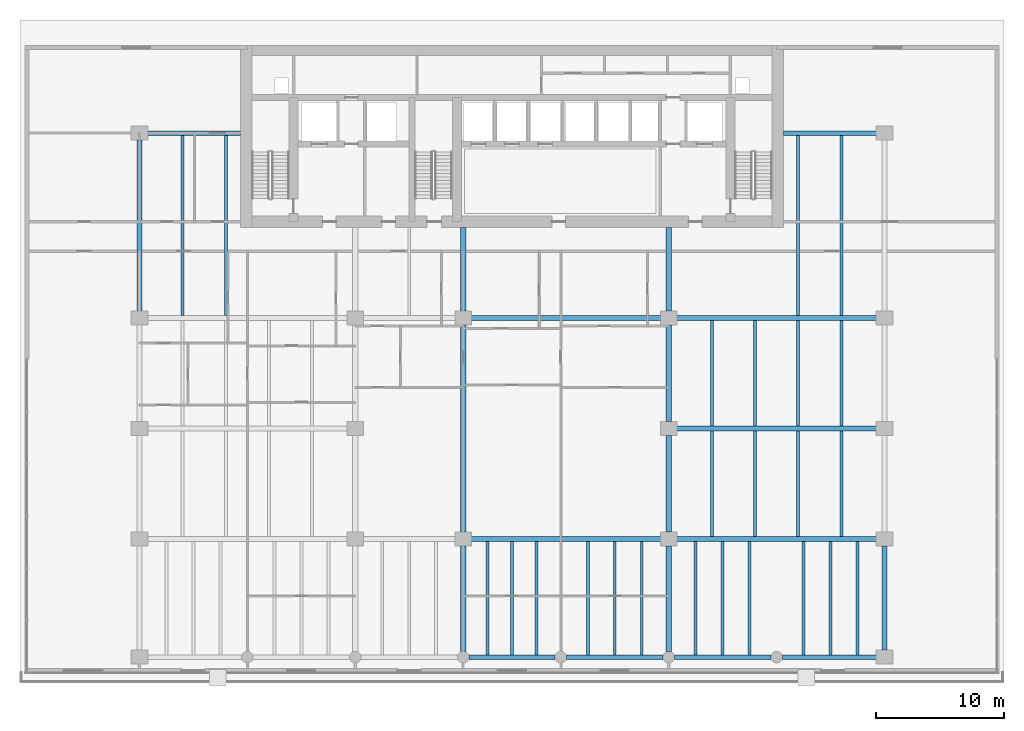
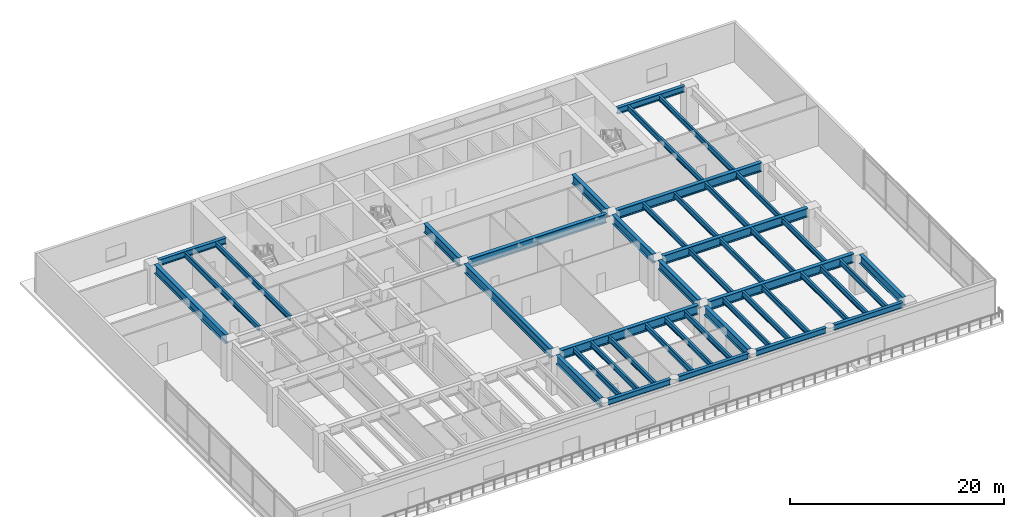
# One storey, part 3 of 14: 44 beams.
"""IFC4 building model written with IfcOpenShell, lengths in metres."""

from ifc_helpers import new_model, si_unit, direction, frame, origin, origin_2d, place, context, subcontext, project, spatial, i_section, extrude, material, material_profile, profile_set, type_object, element, save


model = new_model("IFC4")

# Units and contexts
model_context = context("Model", 3, precision=1e-05, world=origin(), true_north=direction((0.0, 1.0)))
body_context = subcontext(model_context, "Body", "Model", "MODEL_VIEW")
ifc_project = project(units=[si_unit("LENGTHUNIT", "METRE"), si_unit("AREAUNIT", "SQUARE_METRE"), si_unit("VOLUMEUNIT", "CUBIC_METRE"), si_unit("PLANEANGLEUNIT", "RADIAN"), si_unit("MASSUNIT", "GRAM", prefix="KILO")], contexts=[model_context])

# Site, building, storey
site_placement = place(None, origin())
site = spatial("IfcSite", under=ifc_project, at=site_placement, CompositionType="ELEMENT")
building_placement = place(site_placement, origin())
building = spatial("IfcBuilding", under=site, at=building_placement, Name="Caelmar Bay Residences", CompositionType="ELEMENT")
storey_placement = place(building_placement, frame((0.0, 0.0, 15.0)))
storey = spatial("IfcBuildingStorey", under=building, at=storey_placement, Name="L03", CompositionType="ELEMENT", Elevation=15.0)

# Beams
ifc_material = material(Name="Steel ASTM A992 Grade 50", Category="steel")
ifc_material_profile_1 = material_profile(ifc_material, i_section(OverallWidth=0.404052734375, OverallDepth=1.02099609375, WebThickness=0.025390625, FlangeThickness=0.0458984375, FilletRadius=0.02294921875, at=origin_2d()), Name="W40X324")
ifc_profile_set_1 = profile_set([ifc_material_profile_1], Name="Steel ASTM A992 Grade 50")
beam_type_1 = type_object("IfcBeamType", Name="BM-GRD-W40X324", PredefinedType="BEAM", material=ifc_profile_set_1)
beam_1_placement = place(storey_placement, frame((35.639892578125, 12.199951171875, 3.989501953125), z_axis=(1.0, 0.0, 0.0), x_axis=(0.0, 1.0, 0.0)))
element("IfcBeam", 1, at=beam_1_placement, inside=storey, type_object=beam_type_1, Name="L03 East-West Girder Y=12.20 (35.1-51.1)", PredefinedType="BEAM", context=body_context, shape_type="SweptSolid", body=[
    extrude(i_section(OverallWidth=0.404052734375, OverallDepth=1.02099609375, WebThickness=0.025390625, FlangeThickness=0.0458984375, FilletRadius=0.02294921875, at=origin_2d()), origin(), (0.0, 0.0, 1.0), 14.920166015625),
])
for number, where, z_axis, x_axis, name in (
    (2, (51.639892578125, 12.199951171875, 3.989501953125), (1.0, 0.0, 0.0), (0.0, 1.0, 0.0), "L03 East-West Girder Y=12.20 (51.1-67.9)"),
    (3, (51.639892578125, 20.800048828125, 3.989501953125), (1.0, 0.0, 0.0), (0.0, 1.0, 0.0), "L03 East-West Girder Y=20.80 (51.1-67.9)"),
):
    element("IfcBeam", number, at=place(storey_placement, frame(where, z_axis=z_axis, x_axis=x_axis)), inside=storey, type_object=beam_type_1, Name=name, PredefinedType="BEAM", context=body_context, shape_type="SweptSolid", body=[
        extrude(i_section(OverallWidth=0.404052734375, OverallDepth=1.02099609375, WebThickness=0.025390625, FlangeThickness=0.0458984375, FilletRadius=0.02294921875, at=origin_2d()), origin(), (0.0, 0.0, 1.0), 15.72021484375),
    ])
beam_2_placement = place(storey_placement, frame((35.639892578125, 29.39990234375, 3.989501953125), z_axis=(1.0, 0.0, 0.0), x_axis=(0.0, 1.0, 0.0)))
element("IfcBeam", 4, at=beam_2_placement, inside=storey, type_object=beam_type_1, Name="L03 East-West Girder Y=29.40 (35.1-51.1)", PredefinedType="BEAM", context=body_context, shape_type="SweptSolid", body=[
    extrude(i_section(OverallWidth=0.404052734375, OverallDepth=1.02099609375, WebThickness=0.025390625, FlangeThickness=0.0458984375, FilletRadius=0.02294921875, at=origin_2d()), origin(), (0.0, 0.0, 1.0), 14.920166015625),
])
beam_3_placement = place(storey_placement, frame((51.639892578125, 29.39990234375, 3.989501953125), z_axis=(1.0, 0.0, 0.0), x_axis=(0.0, 1.0, 0.0)))
element("IfcBeam", 5, at=beam_3_placement, inside=storey, type_object=beam_type_1, Name="L03 East-West Girder Y=29.40 (51.1-67.9)", PredefinedType="BEAM", context=body_context, shape_type="SweptSolid", body=[
    extrude(i_section(OverallWidth=0.404052734375, OverallDepth=1.02099609375, WebThickness=0.025390625, FlangeThickness=0.0458984375, FilletRadius=0.02294921875, at=origin_2d()), origin(), (0.0, 0.0, 1.0), 15.72021484375),
])
beam_4_placement = place(storey_placement, frame((9.89990234375, 29.93994140625, 3.989501953125), z_axis=(0.0, 1.0, 0.0), x_axis=(-1.0, 0.0, 0.0)))
element("IfcBeam", 6, at=beam_4_placement, inside=storey, type_object=beam_type_1, Name="L03 North-South Girder X=9.90 (29.4-43.8)", PredefinedType="BEAM", context=body_context, shape_type="SweptSolid", body=[
    extrude(i_section(OverallWidth=0.404052734375, OverallDepth=1.02099609375, WebThickness=0.025390625, FlangeThickness=0.0458984375, FilletRadius=0.02294921875, at=origin_2d()), origin(), (0.0, 0.0, 1.0), 13.320068359375),
])
beam_5_placement = place(storey_placement, frame((35.10009765625, 29.93994140625, 3.989501953125), z_axis=(0.0, 1.0, 0.0), x_axis=(-1.0, 0.0, 0.0)))
element("IfcBeam", 7, at=beam_5_placement, inside=storey, type_object=beam_type_1, Name="L03 Core Tie Girder X=35.10", PredefinedType="BEAM", context=body_context, shape_type="SweptSolid", body=[
    extrude(i_section(OverallWidth=0.404052734375, OverallDepth=1.02099609375, WebThickness=0.025390625, FlangeThickness=0.0458984375, FilletRadius=0.02294921875, at=origin_2d()), origin(), (0.0, 0.0, 1.0), 6.510009765625),
])
beam_6_placement = place(storey_placement, frame((35.10009765625, 3.43994140625, 3.989501953125), z_axis=(0.0, 1.0, 0.0), x_axis=(-1.0, 0.0, 0.0)))
element("IfcBeam", 8, at=beam_6_placement, inside=storey, type_object=beam_type_1, Name="L03 North-South Girder X=35.10 (3.0-12.2)", PredefinedType="BEAM", context=body_context, shape_type="SweptSolid", body=[
    extrude(i_section(OverallWidth=0.404052734375, OverallDepth=1.02099609375, WebThickness=0.025390625, FlangeThickness=0.0458984375, FilletRadius=0.02294921875, at=origin_2d()), origin(), (0.0, 0.0, 1.0), 8.219970703125),
])
beam_7_placement = place(storey_placement, frame((35.10009765625, 12.739990234375, 3.989501953125), z_axis=(0.0, 1.0, 0.0), x_axis=(-1.0, 0.0, 0.0)))
element("IfcBeam", 9, at=beam_7_placement, inside=storey, type_object=beam_type_1, Name="L03 North-South Girder X=35.10 (12.2-29.4)", PredefinedType="BEAM", context=body_context, shape_type="SweptSolid", body=[
    extrude(i_section(OverallWidth=0.404052734375, OverallDepth=1.02099609375, WebThickness=0.025390625, FlangeThickness=0.0458984375, FilletRadius=0.02294921875, at=origin_2d()), origin(), (0.0, 0.0, 1.0), 16.1201171875),
])
beam_8_placement = place(storey_placement, frame((51.10009765625, 29.93994140625, 3.989501953125), z_axis=(0.0, 1.0, 0.0), x_axis=(-1.0, 0.0, 0.0)))
element("IfcBeam", 10, at=beam_8_placement, inside=storey, type_object=beam_type_1, Name="L03 Core Tie Girder X=51.10", PredefinedType="BEAM", context=body_context, shape_type="SweptSolid", body=[
    extrude(i_section(OverallWidth=0.404052734375, OverallDepth=1.02099609375, WebThickness=0.025390625, FlangeThickness=0.0458984375, FilletRadius=0.02294921875, at=origin_2d()), origin(), (0.0, 0.0, 1.0), 6.510009765625),
])
beam_9_placement = place(storey_placement, frame((51.10009765625, 3.43994140625, 3.989501953125), z_axis=(0.0, 1.0, 0.0), x_axis=(-1.0, 0.0, 0.0)))
element("IfcBeam", 11, at=beam_9_placement, inside=storey, type_object=beam_type_1, Name="L03 North-South Girder X=51.10 (3.0-12.2)", PredefinedType="BEAM", context=body_context, shape_type="SweptSolid", body=[
    extrude(i_section(OverallWidth=0.404052734375, OverallDepth=1.02099609375, WebThickness=0.025390625, FlangeThickness=0.0458984375, FilletRadius=0.02294921875, at=origin_2d()), origin(), (0.0, 0.0, 1.0), 8.219970703125),
])
for number, where, z_axis, x_axis, name in (
    (12, (51.10009765625, 12.739990234375, 3.989501953125), (0.0, 1.0, 0.0), (-1.0, 0.0, 0.0), "L03 North-South Girder X=51.10 (12.2-20.8)"),
    (13, (51.10009765625, 21.340087890625, 3.989501953125), (0.0, 1.0, 0.0), (-1.0, 0.0, 0.0), "L03 North-South Girder X=51.10 (20.8-29.4)"),
):
    element("IfcBeam", number, at=place(storey_placement, frame(where, z_axis=z_axis, x_axis=x_axis)), inside=storey, type_object=beam_type_1, Name=name, PredefinedType="BEAM", context=body_context, shape_type="SweptSolid", body=[
        extrude(i_section(OverallWidth=0.404052734375, OverallDepth=1.02099609375, WebThickness=0.025390625, FlangeThickness=0.0458984375, FilletRadius=0.02294921875, at=origin_2d()), origin(), (0.0, 0.0, 1.0), 7.52001953125),
    ])
beam_10_placement = place(storey_placement, frame((67.89990234375, 3.5400390625, 3.989501953125), z_axis=(0.0, 1.0, 0.0), x_axis=(-1.0, 0.0, 0.0)))
element("IfcBeam", 14, at=beam_10_placement, inside=storey, type_object=beam_type_1, Name="L03 North-South Girder X=67.90 (3.0-12.2)", PredefinedType="BEAM", context=body_context, shape_type="SweptSolid", body=[
    extrude(i_section(OverallWidth=0.404052734375, OverallDepth=1.02099609375, WebThickness=0.025390625, FlangeThickness=0.0458984375, FilletRadius=0.02294921875, at=origin_2d()), origin(), (0.0, 0.0, 1.0), 8.119873046875),
])
ifc_material_profile_2 = material_profile(ifc_material, i_section(OverallWidth=0.22900390625, OverallDepth=0.612060546875, WebThickness=0.011962890625, FlangeThickness=0.01953125, FilletRadius=0.0126953125, at=origin_2d()), Name="W24X84")
ifc_profile_set_2 = profile_set([ifc_material_profile_2], Name="Steel ASTM A992 Grade 50")
beam_type_2 = type_object("IfcBeamType", Name="BM-JST-W24X84", PredefinedType="JOIST", material=ifc_profile_set_2)
for number, where, z_axis, x_axis, name in (
    (15, (37.0, 3.177978515625, 4.194091796875), (0.0, 1.0, 0.0), (-1.0, 0.0, 0.0), "L03 Composite Floor Joist 10"),
    (16, (38.89990234375, 3.177978515625, 4.194091796875), (0.0, 1.0, 0.0), (-1.0, 0.0, 0.0), "L03 Composite Floor Joist 11"),
    (17, (40.800048828125, 3.177978515625, 4.194091796875), (0.0, 1.0, 0.0), (-1.0, 0.0, 0.0), "L03 Composite Floor Joist 12"),
    (18, (44.800048828125, 3.177978515625, 4.194091796875), (0.0, 1.0, 0.0), (-1.0, 0.0, 0.0), "L03 Composite Floor Joist 13"),
    (19, (46.89990234375, 3.177978515625, 4.194091796875), (0.0, 1.0, 0.0), (-1.0, 0.0, 0.0), "L03 Composite Floor Joist 14"),
    (20, (49.0, 3.177978515625, 4.194091796875), (0.0, 1.0, 0.0), (-1.0, 0.0, 0.0), "L03 Composite Floor Joist 15"),
    (21, (53.199951171875, 3.177978515625, 4.194091796875), (0.0, 1.0, 0.0), (-1.0, 0.0, 0.0), "L03 Composite Floor Joist 16"),
    (22, (55.300048828125, 3.177978515625, 4.194091796875), (0.0, 1.0, 0.0), (-1.0, 0.0, 0.0), "L03 Composite Floor Joist 17"),
    (23, (57.39990234375, 3.177978515625, 4.194091796875), (0.0, 1.0, 0.0), (-1.0, 0.0, 0.0), "L03 Composite Floor Joist 18"),
    (24, (61.60009765625, 3.177978515625, 4.194091796875), (0.0, 1.0, 0.0), (-1.0, 0.0, 0.0), "L03 Composite Floor Joist 19"),
    (25, (63.699951171875, 3.177978515625, 4.194091796875), (0.0, 1.0, 0.0), (-1.0, 0.0, 0.0), "L03 Composite Floor Joist 20"),
    (26, (65.800048828125, 3.177978515625, 4.194091796875), (0.0, 1.0, 0.0), (-1.0, 0.0, 0.0), "L03 Composite Floor Joist 21"),
):
    element("IfcBeam", number, at=place(storey_placement, frame(where, z_axis=z_axis, x_axis=x_axis)), inside=storey, type_object=beam_type_2, Name=name, PredefinedType="JOIST", context=body_context, shape_type="SweptSolid", body=[
        extrude(i_section(OverallWidth=0.22900390625, OverallDepth=0.612060546875, WebThickness=0.011962890625, FlangeThickness=0.01953125, FilletRadius=0.0126953125, at=origin_2d()), origin(), (0.0, 0.0, 1.0), 8.820068359375),
    ])
for number, where, z_axis, x_axis, name in (
    (27, (54.4599609375, 12.402099609375, 4.194091796875), (0.0, 1.0, 0.0), (-1.0, 0.0, 0.0), "L03 Composite Floor Joist 26"),
    (28, (57.820068359375, 12.402099609375, 4.194091796875), (0.0, 1.0, 0.0), (-1.0, 0.0, 0.0), "L03 Composite Floor Joist 27"),
    (29, (61.179931640625, 12.402099609375, 4.194091796875), (0.0, 1.0, 0.0), (-1.0, 0.0, 0.0), "L03 Composite Floor Joist 28"),
    (30, (64.5400390625, 12.402099609375, 4.194091796875), (0.0, 1.0, 0.0), (-1.0, 0.0, 0.0), "L03 Composite Floor Joist 29"),
):
    element("IfcBeam", number, at=place(storey_placement, frame(where, z_axis=z_axis, x_axis=x_axis)), inside=storey, type_object=beam_type_2, Name=name, PredefinedType="JOIST", context=body_context, shape_type="SweptSolid", body=[
        extrude(i_section(OverallWidth=0.22900390625, OverallDepth=0.612060546875, WebThickness=0.011962890625, FlangeThickness=0.01953125, FilletRadius=0.0126953125, at=origin_2d()), origin(), (0.0, 0.0, 1.0), 8.19580078125),
    ])
for number, where, z_axis, x_axis, name in (
    (31, (54.4599609375, 21.001953125, 4.194091796875), (0.0, 1.0, 0.0), (-1.0, 0.0, 0.0), "L03 Composite Floor Joist 34"),
    (32, (57.820068359375, 21.001953125, 4.194091796875), (0.0, 1.0, 0.0), (-1.0, 0.0, 0.0), "L03 Composite Floor Joist 35"),
    (33, (61.179931640625, 21.001953125, 4.194091796875), (0.0, 1.0, 0.0), (-1.0, 0.0, 0.0), "L03 Composite Floor Joist 36"),
    (34, (64.5400390625, 21.001953125, 4.194091796875), (0.0, 1.0, 0.0), (-1.0, 0.0, 0.0), "L03 Composite Floor Joist 37"),
):
    element("IfcBeam", number, at=place(storey_placement, frame(where, z_axis=z_axis, x_axis=x_axis)), inside=storey, type_object=beam_type_2, Name=name, PredefinedType="JOIST", context=body_context, shape_type="SweptSolid", body=[
        extrude(i_section(OverallWidth=0.22900390625, OverallDepth=0.612060546875, WebThickness=0.011962890625, FlangeThickness=0.01953125, FilletRadius=0.0126953125, at=origin_2d()), origin(), (0.0, 0.0, 1.0), 8.196044921875),
    ])
for number, where, z_axis, x_axis, name in (
    (35, (13.260009765625, 29.60205078125, 4.194091796875), (0.0, 1.0, 0.0), (-1.0, 0.0, 0.0), "L03 Composite Floor Joist 39"),
    (36, (16.6201171875, 29.60205078125, 4.194091796875), (0.0, 1.0, 0.0), (-1.0, 0.0, 0.0), "L03 Composite Floor Joist 40"),
    (37, (61.179931640625, 29.60205078125, 4.194091796875), (0.0, 1.0, 0.0), (-1.0, 0.0, 0.0), "L03 Composite Floor Joist 41"),
    (38, (64.5400390625, 29.60205078125, 4.194091796875), (0.0, 1.0, 0.0), (-1.0, 0.0, 0.0), "L03 Composite Floor Joist 42"),
):
    element("IfcBeam", number, at=place(storey_placement, frame(where, z_axis=z_axis, x_axis=x_axis)), inside=storey, type_object=beam_type_2, Name=name, PredefinedType="JOIST", context=body_context, shape_type="SweptSolid", body=[
        extrude(i_section(OverallWidth=0.22900390625, OverallDepth=0.612060546875, WebThickness=0.011962890625, FlangeThickness=0.01953125, FilletRadius=0.0126953125, at=origin_2d()), origin(), (0.0, 0.0, 1.0), 14.02001953125),
    ])
ifc_material_profile_3 = material_profile(ifc_material, i_section(OverallWidth=0.35595703125, OverallDepth=0.696044921875, WebThickness=0.015380859375, FlangeThickness=0.02490234375, FilletRadius=0.01513671875, at=origin_2d()), Name="W27X146")
ifc_profile_set_3 = profile_set([ifc_material_profile_3], Name="Steel ASTM A992 Grade 50")
beam_type_3 = type_object("IfcBeamType", Name="BM-SPN-W27X146", PredefinedType="SPANDREL", material=ifc_profile_set_3)
beam_11_placement = place(storey_placement, frame((35.5400390625, 3.0, 4.152099609375), z_axis=(1.0, 0.0, 0.0), x_axis=(0.0, 1.0, 0.0)))
element("IfcBeam", 39, at=beam_11_placement, inside=storey, type_object=beam_type_3, Name="L03 East-West Girder Y=3.00 (35.1-42.7)", PredefinedType="SPANDREL", context=body_context, shape_type="SweptSolid", body=[
    extrude(i_section(OverallWidth=0.35595703125, OverallDepth=0.696044921875, WebThickness=0.015380859375, FlangeThickness=0.02490234375, FilletRadius=0.01513671875, at=origin_2d()), origin(), (0.0, 0.0, 1.0), 6.719970703125),
])
for number, where, z_axis, x_axis, name in (
    (40, (43.139892578125, 3.0, 4.152099609375), (1.0, 0.0, 0.0), (0.0, 1.0, 0.0), "L03 East-West Girder Y=3.00 (42.7-51.1)"),
    (41, (51.5400390625, 3.0, 4.152099609375), (1.0, 0.0, 0.0), (0.0, 1.0, 0.0), "L03 East-West Girder Y=3.00 (51.1-59.5)"),
):
    element("IfcBeam", number, at=place(storey_placement, frame(where, z_axis=z_axis, x_axis=x_axis)), inside=storey, type_object=beam_type_3, Name=name, PredefinedType="SPANDREL", context=body_context, shape_type="SweptSolid", body=[
        extrude(i_section(OverallWidth=0.35595703125, OverallDepth=0.696044921875, WebThickness=0.015380859375, FlangeThickness=0.02490234375, FilletRadius=0.01513671875, at=origin_2d()), origin(), (0.0, 0.0, 1.0), 7.52001953125),
    ])
beam_12_placement = place(storey_placement, frame((59.93994140625, 3.0, 4.152099609375), z_axis=(1.0, 0.0, 0.0), x_axis=(0.0, 1.0, 0.0)))
element("IfcBeam", 42, at=beam_12_placement, inside=storey, type_object=beam_type_3, Name="L03 East-West Girder Y=3.00 (59.5-67.9)", PredefinedType="SPANDREL", context=body_context, shape_type="SweptSolid", body=[
    extrude(i_section(OverallWidth=0.35595703125, OverallDepth=0.696044921875, WebThickness=0.015380859375, FlangeThickness=0.02490234375, FilletRadius=0.01513671875, at=origin_2d()), origin(), (0.0, 0.0, 1.0), 7.420166015625),
])
for number, where, z_axis, x_axis, name in (
    (43, (10.43994140625, 43.800048828125, 4.152099609375), (1.0, 0.0, 0.0), (0.0, 1.0, 0.0), "L03 North-West Wing Core Tie Girder"),
    (44, (60.050048828125, 43.800048828125, 4.152099609375), (1.0, 0.0, 0.0), (0.0, 1.0, 0.0), "L03 North-East Wing Core Tie Girder"),
):
    element("IfcBeam", number, at=place(storey_placement, frame(where, z_axis=z_axis, x_axis=x_axis)), inside=storey, type_object=beam_type_3, Name=name, PredefinedType="SPANDREL", context=body_context, shape_type="SweptSolid", body=[
        extrude(i_section(OverallWidth=0.35595703125, OverallDepth=0.696044921875, WebThickness=0.015380859375, FlangeThickness=0.02490234375, FilletRadius=0.01513671875, at=origin_2d()), origin(), (0.0, 0.0, 1.0), 7.31005859375),
    ])

save(model, "model.ifc")
